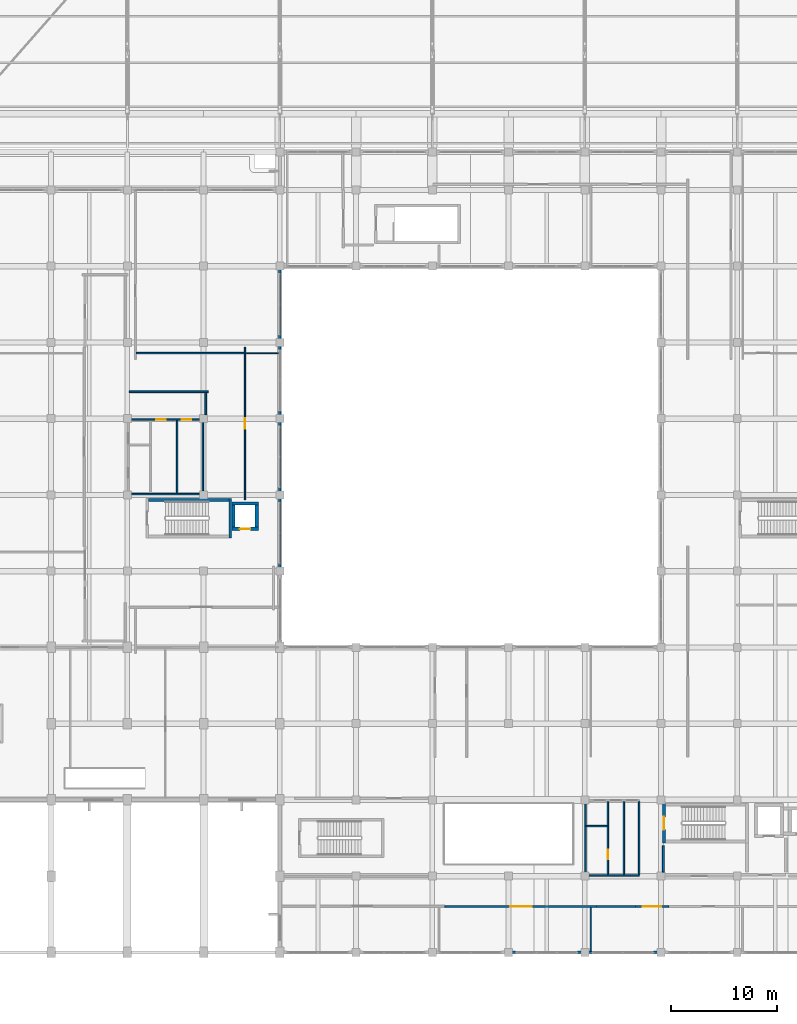
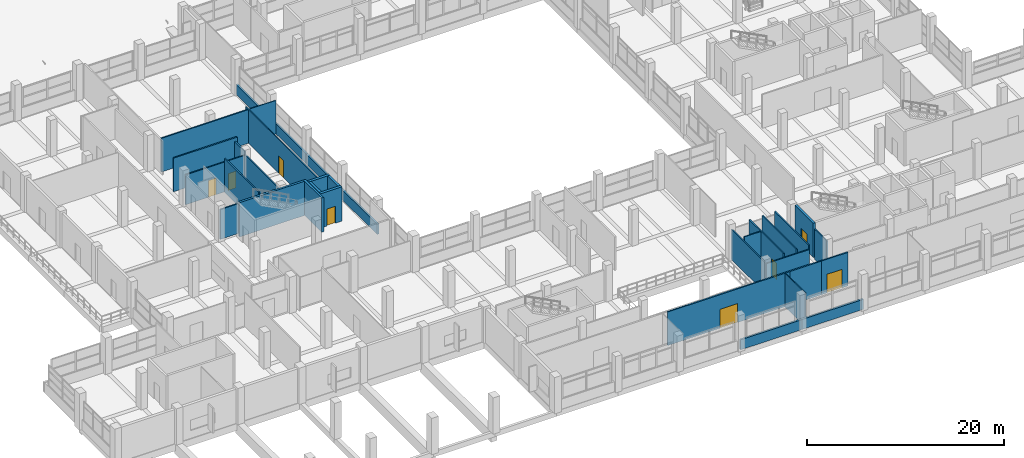
# One storey, part 128 of 141: 33 walls, 8 doors, 8 openings.
"""IFC4 building model written with IfcOpenShell, lengths in metres."""

from ifc_helpers import new_model, si_unit, direction, frame, frame_2d, origin, place, context, subcontext, project, spatial, rectangle, extrude, material, layer, layer_set, type_object, element, fill, save


model = new_model("IFC4")

# Units and contexts
model_context = context("Model", 3, precision=1e-05, world=origin(), true_north=direction((0.0, 1.0)))
body_context = subcontext(model_context, "Body", "Model", "MODEL_VIEW")
ifc_project = project(units=[si_unit("LENGTHUNIT", "METRE"), si_unit("AREAUNIT", "SQUARE_METRE"), si_unit("VOLUMEUNIT", "CUBIC_METRE"), si_unit("PLANEANGLEUNIT", "RADIAN"), si_unit("MASSUNIT", "GRAM", prefix="KILO")], contexts=[model_context])

# Site, building, storey
site_placement = place(None, origin())
site = spatial("IfcSite", under=ifc_project, at=site_placement, CompositionType="ELEMENT")
building_placement = place(site_placement, origin())
building = spatial("IfcBuilding", under=site, at=building_placement, Name="Seraya Terrace Polytechnic", CompositionType="ELEMENT")
storey_placement = place(building_placement, frame((0.0, 0.0, 14.39990234375)))
storey = spatial("IfcBuildingStorey", under=building, at=storey_placement, Name="L03", CompositionType="ELEMENT", Elevation=14.39990234375)

# Walls
ifc_material_1 = material(Name="Precast concrete C40/50", Category="concrete")
ifc_layer_1 = layer(ifc_material_1, 0.219970703125, Name="EW-05")
ifc_layer_set_1 = layer_set([ifc_layer_1], Name="Precast concrete C40/50")
wall_type_1 = type_object("IfcWallType", Name="EW-05", PredefinedType="SOLIDWALL", material=ifc_layer_set_1)
for number, where, z_axis, x_axis, name in (
    (1, (79.199951171875, 0.0, 0.0), (0.0, 0.0, 1.0), (-1.0, 0.0, 0.0), "Precast spandrel wall L03"),
    (2, (72.0, 0.0, 0.0), (0.0, 0.0, 1.0), (-1.0, 0.0, 0.0), "Precast spandrel wall L03"),
):
    element("IfcWall", number, at=place(storey_placement, frame(where, z_axis=z_axis, x_axis=x_axis)), inside=storey, type_object=wall_type_1, Name=name, PredefinedType="SOLIDWALL", context=body_context, shape_type="SweptSolid", body=[
        extrude(rectangle(XDim=7.199951171875, YDim=0.219970703125, at=frame_2d((3.60009765625, 0.0))), origin(), (0.0, 0.0, 1.0), 1.239990234375),
    ])
wall_1_placement = place(storey_placement, frame((43.199951171875, 64.64794921875, 0.0), z_axis=(0.0, 0.0, 1.0), x_axis=(0.0, -1.0, 0.0)))
element("IfcWall", 3, at=wall_1_placement, inside=storey, type_object=wall_type_1, Name="Precast spandrel wall L03", PredefinedType="SOLIDWALL", context=body_context, shape_type="SweptSolid", body=[
    extrude(rectangle(XDim=7.0478515625, YDim=0.219970703125, at=frame_2d((3.52392578125, 0.0))), origin(), (0.0, 0.0, 1.0), 1.239990234375),
])
wall_2_placement = place(storey_placement, frame((43.199951171875, 57.60009765625, 0.0), z_axis=(0.0, 0.0, 1.0), x_axis=(0.0, -1.0, 0.0)))
element("IfcWall", 4, at=wall_2_placement, inside=storey, type_object=wall_type_1, Name="Precast spandrel wall L03", PredefinedType="SOLIDWALL", context=body_context, shape_type="SweptSolid", body=[
    extrude(rectangle(XDim=7.2001953125, YDim=0.219970703125, at=frame_2d((3.60009765625, 0.0))), origin(), (0.0, 0.0, 1.0), 1.239990234375),
])
for number, where, z_axis, x_axis, name in (
    (5, (43.199951171875, 50.39990234375, 0.0), (0.0, 0.0, 1.0), (0.0, -1.0, 0.0), "Precast spandrel wall L03"),
    (6, (43.199951171875, 43.199951171875, 0.0), (0.0, 0.0, 1.0), (0.0, -1.0, 0.0), "Precast spandrel wall L03"),
):
    element("IfcWall", number, at=place(storey_placement, frame(where, z_axis=z_axis, x_axis=x_axis)), inside=storey, type_object=wall_type_1, Name=name, PredefinedType="SOLIDWALL", context=body_context, shape_type="SweptSolid", body=[
        extrude(rectangle(XDim=7.199951171875, YDim=0.219970703125, at=frame_2d((3.60009765625, 0.0))), origin(), (0.0, 0.0, 1.0), 1.239990234375),
    ])

# Wall, opening, door
ifc_material_2 = material(Name="Autoclaved aerated concrete blockwork", Category="masonry")
ifc_layer_2 = layer(ifc_material_2, 0.169921875, Name="PT-02")
ifc_layer_set_2 = layer_set([ifc_layer_2], Name="Autoclaved aerated concrete blockwork")
wall_type_2 = type_object("IfcWallType", Name="PT-02", PredefinedType="PARTITIONING", material=ifc_layer_set_2)
wall_3_placement = place(storey_placement, frame((76.7900390625, 4.330078125, 0.0), z_axis=(0.0, 0.0, 1.0), x_axis=(1.0, 0.0, 0.0)))
wall_3 = element("IfcWall", 7, at=wall_3_placement, inside=storey, type_object=wall_type_2, Name="Internal partition PT-02 L03", PredefinedType="PARTITIONING", context=body_context, shape_type="SweptSolid", body=[
    extrude(rectangle(XDim=3.119873046875, YDim=0.169921875, at=frame_2d((1.56005859375, 0.0))), origin(), (0.0, 0.0, 1.0), 4.16015625),
])
opening_1_placement = place(wall_3_placement, frame((0.679931640625, 0.0, 0.0)))
opening_1 = element("IfcOpeningElement", 8, at=opening_1_placement, cuts=wall_3, Name="Opening ID-14", PredefinedType="OPENING", context=body_context, shape_type="SweptSolid", body=[
    extrude(rectangle(XDim=1.760009765625, YDim=2.300048828125, at=frame_2d((0.8798828125, 1.14990234375))), frame((0.0, 0.096923828125, 0.0), z_axis=(0.0, -1.0, 0.0), x_axis=(1.0, 0.0, 0.0)), (0.0, 0.0, 1.0), 0.19384765625),
])
ifc_material_3 = material(Name="Malaysian dark red meranti hardwood timber D40", Category="wood")
door_type_1 = type_object("IfcDoorType", Name="ID-14", OperationType="DOUBLE_DOOR_SINGLE_SWING", PredefinedType="DOOR", material=ifc_material_3)
door_1_placement = place(opening_1_placement, frame((1.760009765625, 0.0, 0.0), z_axis=(0.0, 0.0, 1.0), x_axis=(-1.0, 0.0, 0.0)))
door_1 = element("IfcDoor", 9, at=door_1_placement, inside=storey, type_object=door_type_1, Name="Door ID-14 DR-INT-L03-0203 in WL-INT-L03-0553", OperationType="DOUBLE_DOOR_SINGLE_SWING", OverallHeight=2.300048828125, OverallWidth=1.760009765625, PredefinedType="DOOR", context=body_context, shape_type="SweptSolid", body=[
    extrude(rectangle(XDim=1.760009765625, YDim=2.300048828125, at=frame_2d((0.8798828125, 1.14990234375))), frame((0.0, 0.02490234375, 0.0), z_axis=(0.0, -1.0, 0.0), x_axis=(1.0, 0.0, 0.0)), (0.0, 0.0, 1.0), 0.050048828125),
])
fill(opening_1, door_1)

# Wall
wall_4_placement = place(storey_placement, frame((79.419921875, 7.5849609375, 0.0), z_axis=(0.0, 0.0, 1.0), x_axis=(0.0, 1.0, 0.0)))
element("IfcWall", 10, at=wall_4_placement, inside=storey, type_object=wall_type_2, Name="Internal partition PT-02 L03", PredefinedType="PARTITIONING", context=body_context, shape_type="SweptSolid", body=[
    extrude(rectangle(XDim=2.46533203125, YDim=0.169921875, at=frame_2d((1.232666015625, 0.0))), origin(), (0.0, 0.0, 1.0), 3.72998046875),
])

# Wall, opening, door
wall_5_placement = place(storey_placement, frame((58.79150390625, 4.330078125, 0.0), z_axis=(0.0, 0.0, 1.0), x_axis=(1.0, 0.0, 0.0)))
wall_5 = element("IfcWall", 11, at=wall_5_placement, inside=storey, type_object=wall_type_2, Name="Internal partition PT-02 L03", PredefinedType="PARTITIONING", context=body_context, shape_type="SweptSolid", body=[
    extrude(rectangle(XDim=14.337158203125, YDim=0.169921875, at=frame_2d((7.16845703125, 0.0))), origin(), (0.0, 0.0, 1.0), 4.16015625),
])
opening_2_placement = place(wall_5_placement, frame((6.148681640625, 0.0, 0.0)))
opening_2 = element("IfcOpeningElement", 12, at=opening_2_placement, cuts=wall_5, Name="Opening ID-17", PredefinedType="OPENING", context=body_context, shape_type="SweptSolid", body=[
    extrude(rectangle(XDim=2.0400390625, YDim=2.340087890625, at=frame_2d((1.02001953125, 1.169921875))), frame((0.0, 0.096923828125, 0.0), z_axis=(0.0, -1.0, 0.0), x_axis=(1.0, 0.0, 0.0)), (0.0, 0.0, 1.0), 0.19384765625),
])
door_type_2 = type_object("IfcDoorType", Name="ID-17", OperationType="DOUBLE_DOOR_SINGLE_SWING", PredefinedType="DOOR", material=ifc_material_3)
door_2_placement = place(opening_2_placement, origin())
door_2 = element("IfcDoor", 13, at=door_2_placement, inside=storey, type_object=door_type_2, Name="Door ID-17 DR-INT-L03-0190 in WL-INT-L03-0567", OperationType="DOUBLE_DOOR_SINGLE_SWING", OverallHeight=2.340087890625, OverallWidth=2.0400390625, PredefinedType="DOOR", context=body_context, shape_type="SweptSolid", body=[
    extrude(rectangle(XDim=2.0400390625, YDim=2.340087890625, at=frame_2d((1.02001953125, 1.169921875))), frame((0.0, 0.02490234375, 0.0), z_axis=(0.0, -1.0, 0.0), x_axis=(1.0, 0.0, 0.0)), (0.0, 0.0, 1.0), 0.050048828125),
])
fill(opening_2, door_2)

# Walls
wall_6_placement = place(storey_placement, frame((73.128662109375, 4.330078125, 0.0), z_axis=(0.0, 0.0, 1.0), x_axis=(1.0, 0.0, 0.0)))
element("IfcWall", 14, at=wall_6_placement, inside=storey, type_object=wall_type_2, Name="Internal partition PT-02 L03", PredefinedType="PARTITIONING", context=body_context, shape_type="SweptSolid", body=[
    extrude(rectangle(XDim=3.661376953125, YDim=0.169921875, at=frame_2d((1.83056640625, 0.0))), origin(), (0.0, 0.0, 1.0), 4.16015625),
])
wall_7_placement = place(storey_placement, frame((28.985595703125, 52.949951171875, 0.0), z_axis=(0.0, 0.0, 1.0), x_axis=(1.0, 0.0, 0.0)))
element("IfcWall", 15, at=wall_7_placement, inside=storey, type_object=wall_type_2, Name="Internal partition PT-02 L03", PredefinedType="PARTITIONING", context=body_context, shape_type="SweptSolid", body=[
    extrude(rectangle(XDim=7.454345703125, YDim=0.169921875, at=frame_2d((3.72705078125, 0.0))), origin(), (0.0, 0.0, 1.0), 4.16015625),
])
wall_8_placement = place(storey_placement, frame((36.199951171875, 50.784912109375, 0.0), z_axis=(0.0, 0.0, 1.0), x_axis=(0.0, 1.0, 0.0)))
element("IfcWall", 16, at=wall_8_placement, inside=storey, type_object=wall_type_2, Name="Internal partition PT-02 L03", PredefinedType="PARTITIONING", context=body_context, shape_type="SweptSolid", body=[
    extrude(rectangle(XDim=2.065185546875, YDim=0.169921875, at=frame_2d((1.03271484375, 0.0))), origin(), (0.0, 0.0, 1.0), 3.72998046875),
])
ifc_layer_3 = layer(ifc_material_2, 0.14990234375, Name="PT-03")
ifc_layer_set_3 = layer_set([ifc_layer_3], Name="Autoclaved aerated concrete blockwork")
wall_type_3 = type_object("IfcWallType", Name="PT-03", PredefinedType="PARTITIONING", material=ifc_layer_set_3)
wall_9_placement = place(storey_placement, frame((29.647216796875, 56.590087890625, 0.0), z_axis=(0.0, 0.0, 1.0), x_axis=(1.0, 0.0, 0.0)))
element("IfcWall", 17, at=wall_9_placement, inside=storey, type_object=wall_type_3, Name="Internal partition PT-03 L03", PredefinedType="PARTITIONING", context=body_context, shape_type="SweptSolid", body=[
    extrude(rectangle(XDim=10.19775390625, YDim=0.14990234375, at=frame_2d((5.098876953125, 0.0))), origin(), (0.0, 0.0, 1.0), 4.16015625),
])
ifc_layer_4 = layer(ifc_material_2, 0.139892578125, Name="PT-04")
ifc_layer_set_4 = layer_set([ifc_layer_4], Name="Autoclaved aerated concrete blockwork")
wall_type_4 = type_object("IfcWallType", Name="PT-04", PredefinedType="PARTITIONING", material=ifc_layer_set_4)
wall_10_placement = place(storey_placement, frame((72.070068359375, 7.27001953125, 0.0), z_axis=(0.0, 0.0, 1.0), x_axis=(1.0, 0.0, 0.0)))
element("IfcWall", 18, at=wall_10_placement, inside=storey, type_object=wall_type_4, Name="Sanitary WC-A South wall L03", PredefinedType="PARTITIONING", context=body_context, shape_type="SweptSolid", body=[
    extrude(rectangle(XDim=5.059814453125, YDim=0.139892578125, at=frame_2d((2.52978515625, 0.0))), origin(), (0.0, 0.0, 1.0), 3.7001953125),
])
wall_11_placement = place(storey_placement, frame((72.070068359375, 7.35009765625, 0.0), z_axis=(0.0, 0.0, 1.0), x_axis=(0.0, 1.0, 0.0)))
element("IfcWall", 19, at=wall_11_placement, inside=storey, type_object=wall_type_4, Name="Sanitary WC-A West wall L03", PredefinedType="PARTITIONING", context=body_context, shape_type="SweptSolid", body=[
    extrude(rectangle(XDim=6.89990234375, YDim=0.139892578125, at=frame_2d((3.449951171875, 0.0))), origin(), (0.0, 0.0, 1.0), 3.72998046875),
])
wall_12_placement = place(storey_placement, frame((77.1298828125, 7.35009765625, 0.0), z_axis=(0.0, 0.0, 1.0), x_axis=(0.0, 1.0, 0.0)))
element("IfcWall", 20, at=wall_12_placement, inside=storey, type_object=wall_type_4, Name="Sanitary WC-A East wall L03", PredefinedType="PARTITIONING", context=body_context, shape_type="SweptSolid", body=[
    extrude(rectangle(XDim=6.89990234375, YDim=0.139892578125, at=frame_2d((3.449951171875, 0.0))), origin(), (0.0, 0.0, 1.0), 4.16015625),
])

# Wall, opening, door
wall_13_placement = place(storey_placement, frame((74.179931640625, 7.35009765625, 0.0), z_axis=(0.0, 0.0, 1.0), x_axis=(0.0, 1.0, 0.0)))
wall_13 = element("IfcWall", 21, at=wall_13_placement, inside=storey, type_object=wall_type_4, Name="Sanitary WC-A OKU/Male divider L03", PredefinedType="PARTITIONING", context=body_context, shape_type="SweptSolid", body=[
    extrude(rectangle(XDim=6.89990234375, YDim=0.139892578125, at=frame_2d((3.449951171875, 0.0))), origin(), (0.0, 0.0, 1.0), 4.16015625),
])
opening_3_placement = place(wall_13_placement, frame((1.449951171875, 0.0, 0.0)))
opening_3 = element("IfcOpeningElement", 22, at=opening_3_placement, cuts=wall_13, Name="Opening ID-02", PredefinedType="OPENING", context=body_context, shape_type="SweptSolid", body=[
    extrude(rectangle(XDim=0.89990234375, YDim=2.080078125, at=frame_2d((0.449951171875, 1.0400390625))), frame((0.0, 0.08203125, 0.0), z_axis=(0.0, -1.0, 0.0), x_axis=(1.0, 0.0, 0.0)), (0.0, 0.0, 1.0), 0.163818359375),
])
door_type_3 = type_object("IfcDoorType", Name="ID-02", OperationType="NOTDEFINED", PredefinedType="DOOR", material=ifc_material_3)
door_3_placement = place(opening_3_placement, origin())
door_3 = element("IfcDoor", 23, at=door_3_placement, inside=storey, type_object=door_type_3, Name="Door ID-02 DR-WC-WC-A-L03-CLN in WL-WC-WC-A-L03-D1", OperationType="SINGLE_SWING_RIGHT", OverallHeight=2.080078125, OverallWidth=0.89990234375, PredefinedType="DOOR", context=body_context, shape_type="SweptSolid", body=[
    extrude(rectangle(XDim=0.89990234375, YDim=2.080078125, at=frame_2d((0.449951171875, 1.0400390625))), frame((0.0, 0.02490234375, 0.0), z_axis=(0.0, -1.0, 0.0), x_axis=(1.0, 0.0, 0.0)), (0.0, 0.0, 1.0), 0.050048828125),
])
fill(opening_3, door_3)

# Walls
wall_14_placement = place(storey_placement, frame((75.68994140625, 7.35009765625, 0.0), z_axis=(0.0, 0.0, 1.0), x_axis=(0.0, 1.0, 0.0)))
element("IfcWall", 24, at=wall_14_placement, inside=storey, type_object=wall_type_4, Name="Sanitary WC-A Male/Female divider L03", PredefinedType="PARTITIONING", context=body_context, shape_type="SweptSolid", body=[
    extrude(rectangle(XDim=6.89990234375, YDim=0.139892578125, at=frame_2d((3.449951171875, 0.0))), origin(), (0.0, 0.0, 1.0), 4.16015625),
])
wall_15_placement = place(storey_placement, frame((72.14990234375, 11.919921875, 0.0), z_axis=(0.0, 0.0, 1.0), x_axis=(1.0, 0.0, 0.0)))
element("IfcWall", 25, at=wall_15_placement, inside=storey, type_object=wall_type_4, Name="Sanitary WC-A OKU/Cleaner divider L03", PredefinedType="PARTITIONING", context=body_context, shape_type="SweptSolid", body=[
    extrude(rectangle(XDim=1.9501953125, YDim=0.139892578125, at=frame_2d((0.97509765625, 0.0))), origin(), (0.0, 0.0, 1.0), 4.16015625),
])
wall_16_placement = place(storey_placement, frame((28.8701171875, 43.27001953125, 0.0), z_axis=(0.0, 0.0, 1.0), x_axis=(1.0, 0.0, 0.0)))
element("IfcWall", 26, at=wall_16_placement, inside=storey, type_object=wall_type_4, Name="Sanitary WC-B South wall L03", PredefinedType="PARTITIONING", context=body_context, shape_type="SweptSolid", body=[
    extrude(rectangle(XDim=7.059814453125, YDim=0.139892578125, at=frame_2d((3.52978515625, 0.0))), origin(), (0.0, 0.0, 1.0), 3.7001953125),
])

# Wall, openings, doors
wall_17_placement = place(storey_placement, frame((28.8701171875, 50.330078125, 0.0), z_axis=(0.0, 0.0, 1.0), x_axis=(1.0, 0.0, 0.0)))
wall_17 = element("IfcWall", 27, at=wall_17_placement, inside=storey, type_object=wall_type_4, Name="Sanitary WC-B North wall L03", PredefinedType="PARTITIONING", context=body_context, shape_type="SweptSolid", body=[
    extrude(rectangle(XDim=7.059814453125, YDim=0.139892578125, at=frame_2d((3.52978515625, 0.0))), origin(), (0.0, 0.0, 1.0), 3.7001953125),
])
opening_4_placement = place(wall_17_placement, frame((2.679931640625, 0.0, 0.0)))
opening_4 = element("IfcOpeningElement", 28, at=opening_4_placement, cuts=wall_17, Name="Opening ID-02", PredefinedType="OPENING", context=body_context, shape_type="SweptSolid", body=[
    extrude(rectangle(XDim=0.89990234375, YDim=2.080078125, at=frame_2d((0.449951171875, 1.0400390625))), frame((0.0, 0.08203125, 0.0), z_axis=(0.0, -1.0, 0.0), x_axis=(1.0, 0.0, 0.0)), (0.0, 0.0, 1.0), 0.163818359375),
])
opening_5_placement = place(wall_17_placement, frame((5.050048828125, 0.0, 0.0)))
opening_5 = element("IfcOpeningElement", 29, at=opening_5_placement, cuts=wall_17, Name="Opening ID-02", PredefinedType="OPENING", context=body_context, shape_type="SweptSolid", body=[
    extrude(rectangle(XDim=0.89990234375, YDim=2.080078125, at=frame_2d((0.449951171875, 1.0400390625))), frame((0.0, 0.08203125, 0.0), z_axis=(0.0, -1.0, 0.0), x_axis=(1.0, 0.0, 0.0)), (0.0, 0.0, 1.0), 0.163818359375),
])
door_4_placement = place(opening_4_placement, frame((0.89990234375, 0.0, 0.0), z_axis=(0.0, 0.0, 1.0), x_axis=(-1.0, 0.0, 0.0)))
door_4 = element("IfcDoor", 30, at=door_4_placement, inside=storey, type_object=door_type_3, Name="Door ID-02 DR-WC-WC-B-L03-M in WL-WC-WC-B-L03-N", OperationType="SINGLE_SWING_LEFT", OverallHeight=2.080078125, OverallWidth=0.89990234375, PredefinedType="DOOR", context=body_context, shape_type="SweptSolid", body=[
    extrude(rectangle(XDim=0.89990234375, YDim=2.080078125, at=frame_2d((0.449951171875, 1.0400390625))), frame((0.0, 0.02490234375, 0.0), z_axis=(0.0, -1.0, 0.0), x_axis=(1.0, 0.0, 0.0)), (0.0, 0.0, 1.0), 0.050048828125),
])
fill(opening_4, door_4)
door_5_placement = place(opening_5_placement, frame((0.89990234375, 0.0, 0.0), z_axis=(0.0, 0.0, 1.0), x_axis=(-1.0, 0.0, 0.0)))
door_5 = element("IfcDoor", 31, at=door_5_placement, inside=storey, type_object=door_type_3, Name="Door ID-02 DR-WC-WC-B-L03-F in WL-WC-WC-B-L03-N", OperationType="SINGLE_SWING_RIGHT", OverallHeight=2.080078125, OverallWidth=0.89990234375, PredefinedType="DOOR", context=body_context, shape_type="SweptSolid", body=[
    extrude(rectangle(XDim=0.89990234375, YDim=2.080078125, at=frame_2d((0.449951171875, 1.0400390625))), frame((0.0, 0.02490234375, 0.0), z_axis=(0.0, -1.0, 0.0), x_axis=(1.0, 0.0, 0.0)), (0.0, 0.0, 1.0), 0.050048828125),
])
fill(opening_5, door_5)

# Walls
wall_18_placement = place(storey_placement, frame((35.929931640625, 43.35009765625, 0.0), z_axis=(0.0, 0.0, 1.0), x_axis=(0.0, 1.0, 0.0)))
element("IfcWall", 32, at=wall_18_placement, inside=storey, type_object=wall_type_4, Name="Sanitary WC-B East wall L03", PredefinedType="PARTITIONING", context=body_context, shape_type="SweptSolid", body=[
    extrude(rectangle(XDim=6.89990234375, YDim=0.139892578125, at=frame_2d((3.449951171875, 0.0))), origin(), (0.0, 0.0, 1.0), 3.72998046875),
])
wall_19_placement = place(storey_placement, frame((33.489990234375, 43.35009765625, 0.0), z_axis=(0.0, 0.0, 1.0), x_axis=(0.0, 1.0, 0.0)))
element("IfcWall", 33, at=wall_19_placement, inside=storey, type_object=wall_type_4, Name="Sanitary WC-B Male/Female divider L03", PredefinedType="PARTITIONING", context=body_context, shape_type="SweptSolid", body=[
    extrude(rectangle(XDim=6.89990234375, YDim=0.139892578125, at=frame_2d((3.449951171875, 0.0))), origin(), (0.0, 0.0, 1.0), 4.16015625),
])

# Wall, opening, door
ifc_layer_5 = layer(ifc_material_2, 0.1201171875, Name="PT-05")
ifc_layer_set_5 = layer_set([ifc_layer_5], Name="Autoclaved aerated concrete blockwork")
wall_type_5 = type_object("IfcWallType", Name="PT-05", PredefinedType="PARTITIONING", material=ifc_layer_set_5)
wall_20_placement = place(storey_placement, frame((39.919921875, 42.72998046875, 0.0), z_axis=(0.0, 0.0, 1.0), x_axis=(0.0, 1.0, 0.0)))
wall_20 = element("IfcWall", 34, at=wall_20_placement, inside=storey, type_object=wall_type_5, Name="Internal partition PT-05 L03", PredefinedType="PARTITIONING", context=body_context, shape_type="SweptSolid", body=[
    extrude(rectangle(XDim=14.414306640625, YDim=0.1201171875, at=frame_2d((7.20703125, 0.0))), origin(), (0.0, 0.0, 1.0), 4.16015625),
])
opening_6_placement = place(wall_20_placement, frame((6.717041015625, 0.0, 0.0)))
opening_6 = element("IfcOpeningElement", 35, at=opening_6_placement, cuts=wall_20, Name="Opening ID-03", PredefinedType="OPENING", context=body_context, shape_type="SweptSolid", body=[
    extrude(rectangle(XDim=0.97998046875, YDim=2.139892578125, at=frame_2d((0.489990234375, 1.06982421875))), frame((0.0, 0.072021484375, 0.0), z_axis=(0.0, -1.0, 0.0), x_axis=(1.0, 0.0, 0.0)), (0.0, 0.0, 1.0), 0.14404296875),
])
door_type_4 = type_object("IfcDoorType", Name="ID-03", OperationType="NOTDEFINED", PredefinedType="DOOR", material=ifc_material_3)
door_6_placement = place(opening_6_placement, origin())
door_6 = element("IfcDoor", 36, at=door_6_placement, inside=storey, type_object=door_type_4, Name="Door ID-03 DR-INT-L03-0208 in WL-INT-L03-0605", OperationType="SINGLE_SWING_LEFT", OverallHeight=2.139892578125, OverallWidth=0.97998046875, PredefinedType="DOOR", context=body_context, shape_type="SweptSolid", body=[
    extrude(rectangle(XDim=0.97998046875, YDim=2.139892578125, at=frame_2d((0.489990234375, 1.06982421875))), frame((0.0, 0.02490234375, 0.0), z_axis=(0.0, -1.0, 0.0), x_axis=(1.0, 0.0, 0.0)), (0.0, 0.0, 1.0), 0.050048828125),
])
fill(opening_6, door_6)

# Walls
wall_21_placement = place(storey_placement, frame((72.568603515625, 0.1220703125, 0.0), z_axis=(0.0, 0.0, 1.0), x_axis=(0.0, 1.0, 0.0)))
element("IfcWall", 37, at=wall_21_placement, inside=storey, type_object=wall_type_5, Name="Internal partition PT-05 L03", PredefinedType="PARTITIONING", context=body_context, shape_type="SweptSolid", body=[
    extrude(rectangle(XDim=4.10791015625, YDim=0.1201171875, at=frame_2d((2.053955078125, 0.0))), origin(), (0.0, 0.0, 1.0), 4.16015625),
])
ifc_layer_6 = layer(ifc_material_2, 0.10009765625, Name="PT-06")
ifc_layer_set_6 = layer_set([ifc_layer_6], Name="Autoclaved aerated concrete blockwork")
wall_type_6 = type_object("IfcWallType", Name="PT-06", PredefinedType="PARTITIONING", material=ifc_layer_set_6)
wall_22_placement = place(storey_placement, frame((39.9951171875, 56.590087890625, 0.0), z_axis=(0.0, 0.0, 1.0), x_axis=(1.0, 0.0, 0.0)))
element("IfcWall", 38, at=wall_22_placement, inside=storey, type_object=wall_type_6, Name="Internal partition PT-06 L03", PredefinedType="PARTITIONING", context=body_context, shape_type="SweptSolid", body=[
    extrude(rectangle(XDim=3.082763671875, YDim=0.10009765625, at=frame_2d((1.54150390625, 0.0))), origin(), (0.0, 0.0, 1.0), 4.16015625),
])

# Wall, opening, door
ifc_material_4 = material(Name="Concrete C40/50", Category="concrete")
ifc_layer_7 = layer(ifc_material_4, 0.300048828125, Name="SW-01")
ifc_layer_set_7 = layer_set([ifc_layer_7], Name="Concrete C40/50")
wall_type_7 = type_object("IfcWallType", Name="SW-01", PredefinedType="SHEAR", material=ifc_layer_set_7)
wall_23_placement = place(storey_placement, frame((38.669921875, 40.0, 0.0), z_axis=(0.0, 0.0, 1.0), x_axis=(1.0, 0.0, 0.0)))
wall_23 = element("IfcWall", 39, at=wall_23_placement, inside=storey, type_object=wall_type_7, Name="Lift shaft PL-05 South wall L03", PredefinedType="SHEAR", context=body_context, shape_type="SweptSolid", body=[
    extrude(rectangle(XDim=2.5, YDim=0.300048828125, at=frame_2d((1.25, 0.0))), origin(), (0.0, 0.0, 1.0), 4.25),
])
opening_7_placement = place(wall_23_placement, frame((0.75, 0.0, 0.0)))
opening_7 = element("IfcOpeningElement", 40, at=opening_7_placement, cuts=wall_23, Name="Opening LD-01", PredefinedType="OPENING", context=body_context, shape_type="SweptSolid", body=[
    extrude(rectangle(XDim=1.0, YDim=2.10009765625, at=frame_2d((0.5, 1.050048828125))), frame((0.0, 0.162109375, 0.0), z_axis=(0.0, -1.0, 0.0), x_axis=(1.0, 0.0, 0.0)), (0.0, 0.0, 1.0), 0.323974609375),
])
ifc_material_5 = material(Name="Steel S355J2", Category="steel")
door_type_5 = type_object("IfcDoorType", Name="LD-01", OperationType="SLIDING_TO_LEFT", PredefinedType="DOOR", material=ifc_material_5)
door_7_placement = place(opening_7_placement, frame((1.0, 0.0, 0.0), z_axis=(0.0, 0.0, 1.0), x_axis=(-1.0, 0.0, 0.0)))
door_7 = element("IfcDoor", 41, at=door_7_placement, inside=storey, type_object=door_type_5, Name="Door LD-01 LD-PL-05-L03 in WL-SHF-PL-05-L03-S", OperationType="SLIDING_TO_LEFT", OverallHeight=2.10009765625, OverallWidth=1.0, PredefinedType="DOOR", context=body_context, shape_type="SweptSolid", body=[
    extrude(rectangle(XDim=1.0, YDim=2.10009765625, at=frame_2d((0.5, 1.050048828125))), frame((0.0, 0.02490234375, 0.0), z_axis=(0.0, -1.0, 0.0), x_axis=(1.0, 0.0, 0.0)), (0.0, 0.0, 1.0), 0.050048828125),
])
fill(opening_7, door_7)

# Walls
wall_24_placement = place(storey_placement, frame((38.669921875, 42.39990234375, 0.0), z_axis=(0.0, 0.0, 1.0), x_axis=(1.0, 0.0, 0.0)))
element("IfcWall", 42, at=wall_24_placement, inside=storey, type_object=wall_type_7, Name="Lift shaft PL-05 North wall L03", PredefinedType="SHEAR", context=body_context, shape_type="SweptSolid", body=[
    extrude(rectangle(XDim=2.5, YDim=0.300048828125, at=frame_2d((1.25, 0.0))), origin(), (0.0, 0.0, 1.0), 4.25),
])
for number, where, z_axis, x_axis, name in (
    (43, (38.820068359375, 40.14990234375, 0.0), (0.0, 0.0, 1.0), (0.0, 1.0, 0.0), "Lift shaft PL-05 West wall L03"),
    (44, (41.02001953125, 40.14990234375, 0.0), (0.0, 0.0, 1.0), (0.0, 1.0, 0.0), "Lift shaft PL-05 East wall L03"),
):
    element("IfcWall", number, at=place(storey_placement, frame(where, z_axis=z_axis, x_axis=x_axis)), inside=storey, type_object=wall_type_7, Name=name, PredefinedType="SHEAR", context=body_context, shape_type="SweptSolid", body=[
        extrude(rectangle(XDim=2.10009765625, YDim=0.300048828125, at=frame_2d((1.050048828125, 0.0))), origin(), (0.0, 0.0, 1.0), 4.25),
    ])

# Wall, opening, door
ifc_layer_8 = layer(ifc_material_4, 0.25, Name="SW-02")
ifc_layer_set_8 = layer_set([ifc_layer_8], Name="Concrete C40/50")
wall_type_8 = type_object("IfcWallType", Name="SW-02", PredefinedType="SHEAR", material=ifc_layer_set_8)
wall_25_placement = place(storey_placement, frame((79.47509765625, 10.35009765625, 0.0), z_axis=(0.0, 0.0, 1.0), x_axis=(0.0, 1.0, 0.0)))
wall_25 = element("IfcWall", 45, at=wall_25_placement, inside=storey, type_object=wall_type_8, Name="Stairwell ST-01 West wall L03", PredefinedType="SHEAR", context=body_context, shape_type="SweptSolid", body=[
    extrude(rectangle(XDim=3.699951171875, YDim=0.25, at=frame_2d((1.85009765625, 0.0))), origin(), (0.0, 0.0, 1.0), 4.25),
])
opening_8_placement = place(wall_25_placement, frame((1.25, 0.0, 0.0)))
opening_8 = element("IfcOpeningElement", 46, at=opening_8_placement, cuts=wall_25, Name="Opening FD-01", PredefinedType="OPENING", context=body_context, shape_type="SweptSolid", body=[
    extrude(rectangle(XDim=1.199951171875, YDim=2.14990234375, at=frame_2d((0.60009765625, 1.074951171875))), frame((0.0, 0.136962890625, 0.0), z_axis=(0.0, -1.0, 0.0), x_axis=(1.0, 0.0, 0.0)), (0.0, 0.0, 1.0), 0.27392578125),
])
door_type_6 = type_object("IfcDoorType", Name="FD-01", OperationType="NOTDEFINED", PredefinedType="DOOR", material=ifc_material_5)
door_8_placement = place(opening_8_placement, frame((1.199951171875, 0.0, 0.0), z_axis=(0.0, 0.0, 1.0), x_axis=(-1.0, 0.0, 0.0)))
door_8 = element("IfcDoor", 47, at=door_8_placement, inside=storey, type_object=door_type_6, Name="Door FD-01 DR-STR-ST-01-L03 in WL-STR-ST-01-L03-W", OperationType="SINGLE_SWING_LEFT", OverallHeight=2.14990234375, OverallWidth=1.199951171875, PredefinedType="DOOR", context=body_context, shape_type="SweptSolid", body=[
    extrude(rectangle(XDim=1.199951171875, YDim=2.14990234375, at=frame_2d((0.60009765625, 1.074951171875))), frame((0.0, 0.02490234375, 0.0), z_axis=(0.0, -1.0, 0.0), x_axis=(1.0, 0.0, 0.0)), (0.0, 0.0, 1.0), 0.050048828125),
])
fill(opening_8, door_8)

# Walls
wall_26_placement = place(storey_placement, frame((38.52490234375, 39.14990234375, 0.0), z_axis=(0.0, 0.0, 1.0), x_axis=(0.0, 1.0, 0.0)))
element("IfcWall", 48, at=wall_26_placement, inside=storey, type_object=wall_type_8, Name="Stairwell ST-04 East wall L03", PredefinedType="SHEAR", context=body_context, shape_type="SweptSolid", body=[
    extrude(rectangle(XDim=3.7001953125, YDim=0.25, at=frame_2d((1.85009765625, 0.0))), origin(), (0.0, 0.0, 1.0), 4.25),
])
wall_27_placement = place(storey_placement, frame((30.800048828125, 42.72509765625, 0.0), z_axis=(0.0, 0.0, 1.0), x_axis=(1.0, 0.0, 0.0)))
element("IfcWall", 49, at=wall_27_placement, inside=storey, type_object=wall_type_8, Name="Stairwell ST-04 North wall L03", PredefinedType="SHEAR", context=body_context, shape_type="SweptSolid", body=[
    extrude(rectangle(XDim=7.599853515625, YDim=0.25, at=frame_2d((3.7998046875, 0.0))), origin(), (0.0, 0.0, 1.0), 4.25),
])

save(model, "model.ifc")
